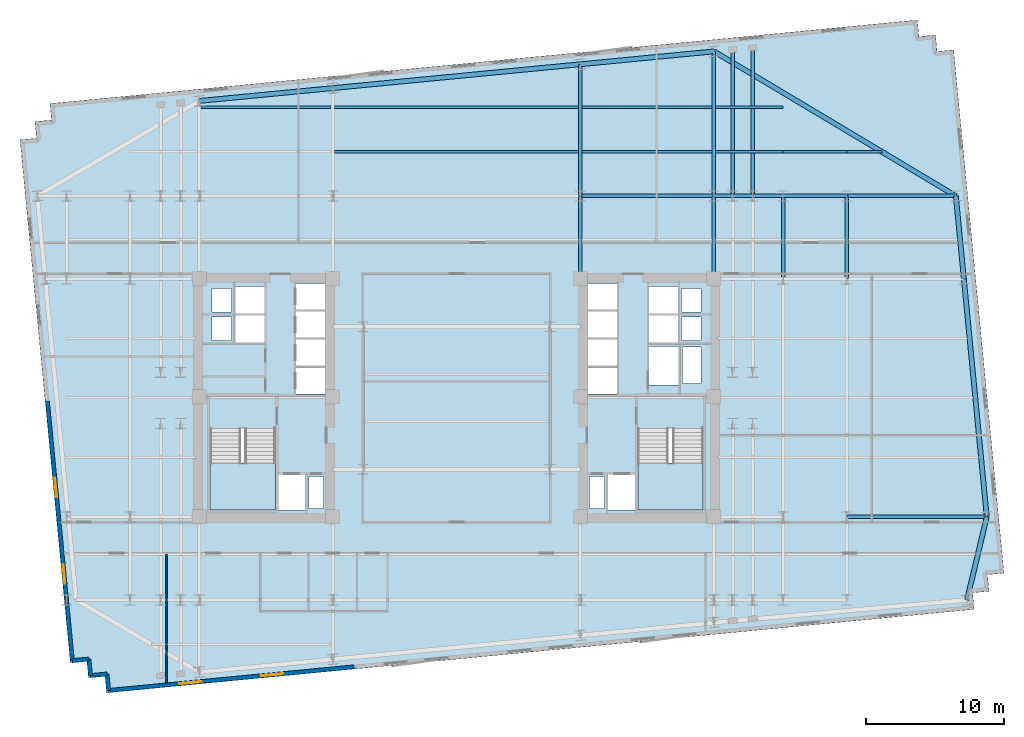
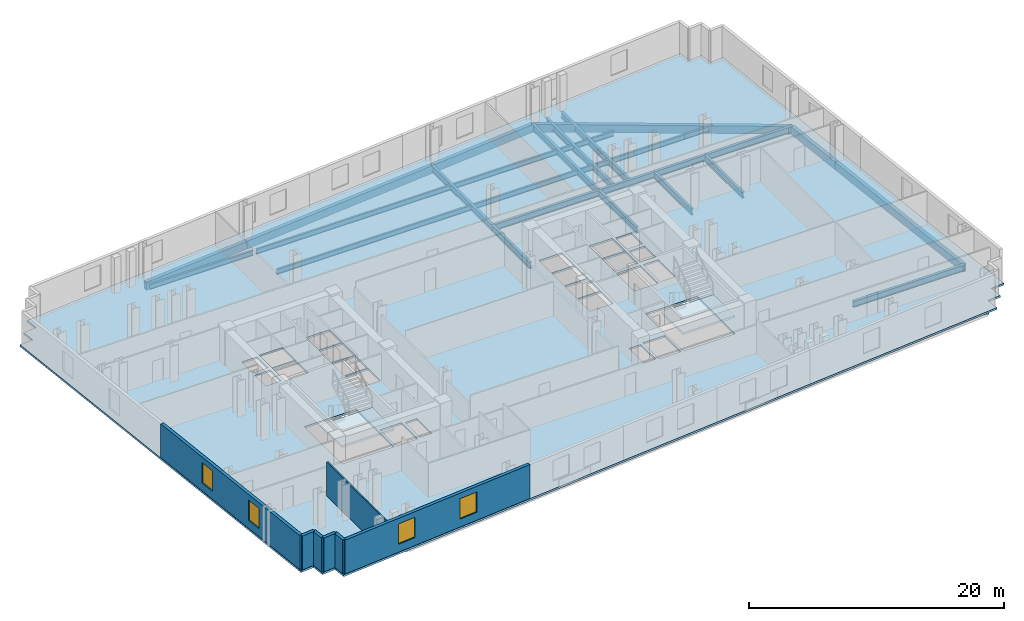
# One storey, part 3 of 10: 29 beams, 7 walls, 4 windows, 3 slabs, 4 openings, 2 elements without a shape of their own.
"""IFC4 building model written with IfcOpenShell, lengths in metres."""

from ifc_helpers import new_model, si_unit, direction, frame, frame_2d, origin, origin_2d, place, context, subcontext, project, spatial, polyline, rectangle, i_section, outline, extrude, material, layer, layer_set, material_profile, profile_set, type_object, element, fill, aggregate, save


model = new_model("IFC4")

# Units and contexts
model_context = context("Model", 3, precision=1e-05, world=origin(), true_north=direction((0.0, 1.0)))
body_context = subcontext(model_context, "Body", "Model", "MODEL_VIEW")
ifc_project = project(units=[si_unit("LENGTHUNIT", "METRE"), si_unit("AREAUNIT", "SQUARE_METRE"), si_unit("VOLUMEUNIT", "CUBIC_METRE"), si_unit("PLANEANGLEUNIT", "RADIAN"), si_unit("MASSUNIT", "GRAM", prefix="KILO")], contexts=[model_context])

# Site, building, storey
site_placement = place(None, origin())
site = spatial("IfcSite", under=ifc_project, at=site_placement, CompositionType="ELEMENT")
building_placement = place(site_placement, origin())
building = spatial("IfcBuilding", under=site, at=building_placement, Name="Velakula Bourse", CompositionType="ELEMENT")
storey_placement = place(building_placement, frame((0.0, 0.0, 81.10009765625)))
storey = spatial("IfcBuildingStorey", under=building, at=storey_placement, Name="L21", CompositionType="ELEMENT", Elevation=81.10009765625)

# Beams
ifc_material_1 = material(Name="Steel IS 2062 Grade 350 (E350)", Category="steel")
ifc_material_profile_1 = material_profile(ifc_material_1, i_section(OverallWidth=0.25, OverallDepth=0.60009765625, WebThickness=0.01171875, FlangeThickness=0.023681640625, at=origin_2d()), Name="Steel IS 2062 Grade 350 (E350)")
ifc_profile_set_1 = profile_set([ifc_material_profile_1], Name="Steel IS 2062 Grade 350 (E350)")
beam_type_1 = type_object("IfcBeamType", Name="BM-GRD-600H", PredefinedType="BEAM", material=ifc_profile_set_1)
for number, where, z_axis, x_axis, name in (
    (1, (8.949951171875, 8.60009765625, -0.47998046875), (0.0, 1.0, 0.0), (-1.0, 0.0, 0.0), "L21 Fulcrum Grid Girder FLC-ECN"),
    (2, (18.60009765625, 8.60009765625, -0.47998046875), (0.0, 1.0, 0.0), (-1.0, 0.0, 0.0), "L21 Fulcrum Grid Girder FLC-EN"),
):
    element("IfcBeam", number, at=place(storey_placement, frame(where, z_axis=z_axis, x_axis=x_axis)), inside=storey, type_object=beam_type_1, Name=name, PredefinedType="BEAM", context=body_context, shape_type="SweptSolid", body=[
        extrude(i_section(OverallWidth=0.25, OverallDepth=0.60009765625, WebThickness=0.01171875, FlangeThickness=0.023681640625, at=origin_2d()), origin(), (0.0, 0.0, 1.0), 6.0),
    ])
beam_1_placement = place(storey_placement, frame((8.949951171875, 14.60009765625, -0.47998046875), z_axis=(1.0, 0.0, 0.0), x_axis=(0.0, 1.0, 0.0)))
element("IfcBeam", 3, at=beam_1_placement, inside=storey, type_object=beam_type_1, Name="L21 Fulcrum Grid Girder FLC-N3", PredefinedType="BEAM", context=body_context, shape_type="SweptSolid", body=[
    extrude(i_section(OverallWidth=0.25, OverallDepth=0.60009765625, WebThickness=0.01171875, FlangeThickness=0.023681640625, at=origin_2d()), origin(), (0.0, 0.0, 1.0), 9.650146484375),
])
beam_2_placement = place(storey_placement, frame((18.60009765625, 14.60009765625, -0.47998046875), z_axis=(1.0, 0.0, 0.0), x_axis=(0.0, 1.0, 0.0)))
element("IfcBeam", 4, at=beam_2_placement, inside=storey, type_object=beam_type_1, Name="L21 Fulcrum Grid Girder MWG-EN2", PredefinedType="BEAM", context=body_context, shape_type="SweptSolid", body=[
    extrude(i_section(OverallWidth=0.25, OverallDepth=0.60009765625, WebThickness=0.01171875, FlangeThickness=0.023681640625, at=origin_2d()), origin(), (0.0, 0.0, 1.0), 5.0),
])
beam_3_placement = place(storey_placement, frame((23.60009765625, 8.60009765625, -0.47998046875), z_axis=(0.0, 1.0, 0.0), x_axis=(-1.0, 0.0, 0.0)))
element("IfcBeam", 5, at=beam_3_placement, inside=storey, type_object=beam_type_1, Name="L21 Fulcrum Grid Girder MWG-ENS3", PredefinedType="BEAM", context=body_context, shape_type="SweptSolid", body=[
    extrude(i_section(OverallWidth=0.25, OverallDepth=0.60009765625, WebThickness=0.01171875, FlangeThickness=0.023681640625, at=origin_2d()), origin(), (0.0, 0.0, 1.0), 6.0),
])
beam_4_placement = place(storey_placement, frame((23.60009765625, 14.60009765625, -0.47998046875), z_axis=(1.0, 0.0, 0.0), x_axis=(0.0, 1.0, 0.0)))
element("IfcBeam", 6, at=beam_4_placement, inside=storey, type_object=beam_type_1, Name="L21 Fulcrum Grid Girder WNG-EN2", PredefinedType="BEAM", context=body_context, shape_type="SweptSolid", body=[
    extrude(i_section(OverallWidth=0.25, OverallDepth=0.60009765625, WebThickness=0.01171875, FlangeThickness=0.023681640625, at=origin_2d()), origin(), (0.0, 0.0, 1.0), 4.599853515625),
])
beam_5_placement = place(storey_placement, frame((28.199951171875, 8.60009765625, -0.47998046875), z_axis=(0.0, 1.0, 0.0), x_axis=(-1.0, 0.0, 0.0)))
element("IfcBeam", 7, at=beam_5_placement, inside=storey, type_object=beam_type_1, Name="L21 Fulcrum Grid Girder WNG-ENS3", PredefinedType="BEAM", context=body_context, shape_type="SweptSolid", body=[
    extrude(i_section(OverallWidth=0.25, OverallDepth=0.60009765625, WebThickness=0.01171875, FlangeThickness=0.023681640625, at=origin_2d()), origin(), (0.0, 0.0, 1.0), 6.0),
])
beam_6_placement = place(storey_placement, frame((8.949951171875, 14.60009765625, -0.47998046875), z_axis=(0.0, 1.0, 0.0), x_axis=(-1.0, 0.0, 0.0)))
element("IfcBeam", 8, at=beam_6_placement, inside=storey, type_object=beam_type_1, Name="L21 Perimeter Tie Girder N3", PredefinedType="BEAM", context=body_context, shape_type="SweptSolid", body=[
    extrude(i_section(OverallWidth=0.25, OverallDepth=0.60009765625, WebThickness=0.01171875, FlangeThickness=0.023681640625, at=origin_2d()), origin(), (0.0, 0.0, 1.0), 9.521484375),
])
beam_7_placement = place(storey_placement, frame((18.60009765625, 14.60009765625, -0.47998046875), z_axis=(0.0, 1.0, 0.0), x_axis=(-1.0, 0.0, 0.0)))
element("IfcBeam", 9, at=beam_7_placement, inside=storey, type_object=beam_type_1, Name="L21 Perimeter Tie Girder N4", PredefinedType="BEAM", context=body_context, shape_type="SweptSolid", body=[
    extrude(i_section(OverallWidth=0.25, OverallDepth=0.60009765625, WebThickness=0.01171875, FlangeThickness=0.023681640625, at=origin_2d()), origin(), (0.0, 0.0, 1.0), 10.45068359375),
])
beam_8_placement = place(storey_placement, frame((28.199951171875, -8.60009765625, -0.47998046875), z_axis=(1.0, 0.0, 0.0), x_axis=(0.0, 1.0, 0.0)))
element("IfcBeam", 10, at=beam_8_placement, inside=storey, type_object=beam_type_1, Name="L21 Perimeter Tie Girder E2", PredefinedType="BEAM", context=body_context, shape_type="SweptSolid", body=[
    extrude(i_section(OverallWidth=0.25, OverallDepth=0.60009765625, WebThickness=0.01171875, FlangeThickness=0.023681640625, at=origin_2d()), origin(), (0.0, 0.0, 1.0), 10.119873046875),
])
beam_9_placement = place(storey_placement, frame((28.199951171875, 14.60009765625, -0.47998046875), z_axis=(1.0, 0.0, 0.0), x_axis=(0.0, 1.0, 0.0)))
element("IfcBeam", 11, at=beam_9_placement, inside=storey, type_object=beam_type_1, Name="L21 Perimeter Tie Girder E4", PredefinedType="BEAM", context=body_context, shape_type="SweptSolid", body=[
    extrude(i_section(OverallWidth=0.25, OverallDepth=0.60009765625, WebThickness=0.01171875, FlangeThickness=0.023681640625, at=origin_2d()), origin(), (0.0, 0.0, 1.0), 7.885986328125),
])
beam_10_placement = place(storey_placement, frame((19.949951171875, 14.60009765625, -0.47998046875), z_axis=(0.0, 1.0, 0.0), x_axis=(-1.0, 0.0, 0.0)))
element("IfcBeam", 12, at=beam_10_placement, inside=storey, type_object=beam_type_1, Name="L21 Perimeter Tie Girder P07", PredefinedType="BEAM", context=body_context, shape_type="SweptSolid", body=[
    extrude(i_section(OverallWidth=0.25, OverallDepth=0.60009765625, WebThickness=0.01171875, FlangeThickness=0.023681640625, at=origin_2d()), origin(), (0.0, 0.0, 1.0), 10.580810546875),
])
beam_11_placement = place(storey_placement, frame((21.39990234375, 14.60009765625, -0.47998046875), z_axis=(0.0, 1.0, 0.0), x_axis=(-1.0, 0.0, 0.0)))
element("IfcBeam", 13, at=beam_11_placement, inside=storey, type_object=beam_type_1, Name="L21 Perimeter Tie Girder P08", PredefinedType="BEAM", context=body_context, shape_type="SweptSolid", body=[
    extrude(i_section(OverallWidth=0.25, OverallDepth=0.60009765625, WebThickness=0.01171875, FlangeThickness=0.023681640625, at=origin_2d()), origin(), (0.0, 0.0, 1.0), 10.720458984375),
])
ifc_material_profile_2 = material_profile(ifc_material_1, i_section(OverallWidth=0.179931640625, OverallDepth=0.5, WebThickness=0.01025390625, FlangeThickness=0.01708984375, at=origin_2d()), Name="Steel IS 2062 Grade 350 (E350)")
ifc_profile_set_2 = profile_set([ifc_material_profile_2], Name="Steel IS 2062 Grade 350 (E350)")
beam_type_2 = type_object("IfcBeamType", Name="JST-TWR-500", PredefinedType="JOIST", material=ifc_profile_set_2)
beam_12_placement = place(storey_placement, frame((-8.824951171875, 17.800048828125, -0.43017578125), z_axis=(1.0, 0.0, 0.0), x_axis=(0.0, 1.0, 0.0)))
element("IfcBeam", 14, at=beam_12_placement, inside=storey, type_object=beam_type_2, Name="L21 Trading Floor Composite Joist 22", PredefinedType="JOIST", context=body_context, shape_type="SweptSolid", body=[
    extrude(i_section(OverallWidth=0.179931640625, OverallDepth=0.5, WebThickness=0.01025390625, FlangeThickness=0.01708984375, at=origin_2d()), origin(), (0.0, 0.0, 1.0), 17.64990234375),
])
beam_13_placement = place(storey_placement, frame((9.074951171875, 17.800048828125, -0.43017578125), z_axis=(1.0, 0.0, 0.0), x_axis=(0.0, 1.0, 0.0)))
element("IfcBeam", 15, at=beam_13_placement, inside=storey, type_object=beam_type_2, Name="L21 Trading Floor Composite Joist 23", PredefinedType="JOIST", context=body_context, shape_type="SweptSolid", body=[
    extrude(i_section(OverallWidth=0.179931640625, OverallDepth=0.5, WebThickness=0.01025390625, FlangeThickness=0.01708984375, at=origin_2d()), origin(), (0.0, 0.0, 1.0), 9.400146484375),
])
beam_14_placement = place(storey_placement, frame((18.72509765625, 17.800048828125, -0.43017578125), z_axis=(1.0, 0.0, 0.0), x_axis=(0.0, 1.0, 0.0)))
element("IfcBeam", 16, at=beam_14_placement, inside=storey, type_object=beam_type_2, Name="L21 Trading Floor Composite Joist 24", PredefinedType="JOIST", context=body_context, shape_type="SweptSolid", body=[
    extrude(i_section(OverallWidth=0.179931640625, OverallDepth=0.5, WebThickness=0.01025390625, FlangeThickness=0.01708984375, at=origin_2d()), origin(), (0.0, 0.0, 1.0), 4.875),
])
beam_15_placement = place(storey_placement, frame((23.60009765625, 17.800048828125, -0.43017578125), z_axis=(1.0, 0.0, 0.0), x_axis=(0.0, 1.0, 0.0)))
element("IfcBeam", 17, at=beam_15_placement, inside=storey, type_object=beam_type_2, Name="L21 Trading Floor Composite Joist 25", PredefinedType="JOIST", context=body_context, shape_type="SweptSolid", body=[
    extrude(i_section(OverallWidth=0.179931640625, OverallDepth=0.5, WebThickness=0.01025390625, FlangeThickness=0.01708984375, at=origin_2d()), origin(), (0.0, 0.0, 1.0), 4.599853515625),
])
beam_16_placement = place(storey_placement, frame((28.199951171875, 17.800048828125, -0.43017578125), z_axis=(1.0, 0.0, 0.0), x_axis=(0.0, 1.0, 0.0)))
element("IfcBeam", 18, at=beam_16_placement, inside=storey, type_object=beam_type_2, Name="L21 Trading Floor Composite Joist 26", PredefinedType="JOIST", context=body_context, shape_type="SweptSolid", body=[
    extrude(i_section(OverallWidth=0.179931640625, OverallDepth=0.5, WebThickness=0.01025390625, FlangeThickness=0.01708984375, at=origin_2d()), origin(), (0.0, 0.0, 1.0), 2.53173828125),
])
beam_17_placement = place(storey_placement, frame((-18.47509765625, 21.0, -0.43017578125), z_axis=(1.0, 0.0, 0.0), x_axis=(0.0, 1.0, 0.0)))
element("IfcBeam", 19, at=beam_17_placement, inside=storey, type_object=beam_type_2, Name="L21 Trading Floor Composite Joist 27", PredefinedType="JOIST", context=body_context, shape_type="SweptSolid", body=[
    extrude(i_section(OverallWidth=0.179931640625, OverallDepth=0.5, WebThickness=0.01025390625, FlangeThickness=0.01708984375, at=origin_2d()), origin(), (0.0, 0.0, 1.0), 9.400146484375),
])
beam_18_placement = place(storey_placement, frame((-8.824951171875, 21.0, -0.43017578125), z_axis=(1.0, 0.0, 0.0), x_axis=(0.0, 1.0, 0.0)))
element("IfcBeam", 20, at=beam_18_placement, inside=storey, type_object=beam_type_2, Name="L21 Trading Floor Composite Joist 28", PredefinedType="JOIST", context=body_context, shape_type="SweptSolid", body=[
    extrude(i_section(OverallWidth=0.179931640625, OverallDepth=0.5, WebThickness=0.01025390625, FlangeThickness=0.01708984375, at=origin_2d()), origin(), (0.0, 0.0, 1.0), 17.64990234375),
])
beam_19_placement = place(storey_placement, frame((9.074951171875, 21.0, -0.43017578125), z_axis=(1.0, 0.0, 0.0), x_axis=(0.0, 1.0, 0.0)))
element("IfcBeam", 21, at=beam_19_placement, inside=storey, type_object=beam_type_2, Name="L21 Trading Floor Composite Joist 29", PredefinedType="JOIST", context=body_context, shape_type="SweptSolid", body=[
    extrude(i_section(OverallWidth=0.179931640625, OverallDepth=0.5, WebThickness=0.01025390625, FlangeThickness=0.01708984375, at=origin_2d()), origin(), (0.0, 0.0, 1.0), 9.400146484375),
])
beam_20_placement = place(storey_placement, frame((18.72509765625, 21.0, -0.43017578125), z_axis=(1.0, 0.0, 0.0), x_axis=(0.0, 1.0, 0.0)))
element("IfcBeam", 22, at=beam_20_placement, inside=storey, type_object=beam_type_2, Name="L21 Trading Floor Composite Joist 30", PredefinedType="JOIST", context=body_context, shape_type="SweptSolid", body=[
    extrude(i_section(OverallWidth=0.179931640625, OverallDepth=0.5, WebThickness=0.01025390625, FlangeThickness=0.01708984375, at=origin_2d()), origin(), (0.0, 0.0, 1.0), 4.875),
])
ifc_material_2 = material(Name="Precast concrete M45 (fck 45 MPa)", Category="concrete")
ifc_material_profile_3 = material_profile(ifc_material_2, rectangle(XDim=0.35009765625, YDim=0.75, at=origin_2d()), Name="Precast concrete M45 (fck 45 MPa)")
ifc_profile_set_3 = profile_set([ifc_material_profile_3], Name="Precast concrete M45 (fck 45 MPa)")
beam_type_3 = type_object("IfcBeamType", Name="SPN-BRICK-750", PredefinedType="SPANDREL", material=ifc_profile_set_3)
beam_21_placement = place(storey_placement, frame((-18.60009765625, 21.468994140625, -0.55517578125), z_axis=(0.99539623971, 0.095845323155, 0.0), x_axis=(-0.095845323155, 0.99539623971, 0.0)))
element("IfcBeam", 23, at=beam_21_placement, inside=storey, type_object=beam_type_3, Name="L21 Brick-Faced Precast Spandrel N1-N2", PredefinedType="SPANDREL", context=body_context, shape_type="SweptSolid", body=[
    extrude(rectangle(XDim=0.35009765625, YDim=0.75, at=origin_2d()), origin(), (0.0, 0.0, 1.0), 9.69482421875),
])
beam_22_placement = place(storey_placement, frame((-8.949951171875, 22.398193359375, -0.55517578125), z_axis=(0.995397131467, 0.095836061418, 0.0), x_axis=(-0.095836061418, 0.995397131467, 0.0)))
element("IfcBeam", 24, at=beam_22_placement, inside=storey, type_object=beam_type_3, Name="L21 Brick-Faced Precast Spandrel N2-N3", PredefinedType="SPANDREL", context=body_context, shape_type="SweptSolid", body=[
    extrude(rectangle(XDim=0.35009765625, YDim=0.75, at=origin_2d()), origin(), (0.0, 0.0, 1.0), 17.982666015625),
])
beam_23_placement = place(storey_placement, frame((8.949951171875, 24.12158203125, -0.55517578125), z_axis=(0.99539623971, 0.095845323155, 0.0), x_axis=(-0.095845323155, 0.99539623971, 0.0)))
element("IfcBeam", 25, at=beam_23_placement, inside=storey, type_object=beam_type_3, Name="L21 Brick-Faced Precast Spandrel N3-N4", PredefinedType="SPANDREL", context=body_context, shape_type="SweptSolid", body=[
    extrude(rectangle(XDim=0.35009765625, YDim=0.75, at=origin_2d()), origin(), (0.0, 0.0, 1.0), 9.69482421875),
])
beam_24_placement = place(storey_placement, frame((36.88818359375, -14.60009765625, -0.55517578125), z_axis=(0.232091371601, 0.972693988482, 0.0), x_axis=(-0.972693988482, 0.232091371601, 0.0)))
element("IfcBeam", 26, at=beam_24_placement, inside=storey, type_object=beam_type_3, Name="L21 Brick-Faced Precast Spandrel E1-E2", PredefinedType="SPANDREL", context=body_context, shape_type="SweptSolid", body=[
    extrude(rectangle(XDim=0.35009765625, YDim=0.75, at=origin_2d()), origin(), (0.0, 0.0, 1.0), 6.16845703125),
])
beam_25_placement = place(storey_placement, frame((38.31982421875, -8.60009765625, -0.55517578125), z_axis=(-0.095849167925, 0.995395869495, 0.0), x_axis=(-0.995395869495, -0.095849167925, 0.0)))
element("IfcBeam", 27, at=beam_25_placement, inside=storey, type_object=beam_type_3, Name="L21 Brick-Faced Precast Spandrel E2-E3", PredefinedType="SPANDREL", context=body_context, shape_type="SweptSolid", body=[
    extrude(rectangle(XDim=0.35009765625, YDim=0.75, at=origin_2d()), origin(), (0.0, 0.0, 1.0), 17.27978515625),
])
beam_26_placement = place(storey_placement, frame((36.66357421875, 8.60009765625, -0.55517578125), z_axis=(-0.095829714309, 0.995397742541, 0.0), x_axis=(-0.995397742541, -0.095829714309, 0.0)))
element("IfcBeam", 28, at=beam_26_placement, inside=storey, type_object=beam_type_3, Name="L21 Brick-Faced Precast Spandrel E3-E4", PredefinedType="SPANDREL", context=body_context, shape_type="SweptSolid", body=[
    extrude(rectangle(XDim=0.35009765625, YDim=0.75, at=origin_2d()), origin(), (0.0, 0.0, 1.0), 6.02783203125),
])
beam_27_placement = place(storey_placement, frame((36.0859375, 14.60009765625, -0.55517578125), z_axis=(-0.858375715449, 0.513021569846, 0.0), x_axis=(-0.513021569846, -0.858375715449, 0.0)))
element("IfcBeam", 29, at=beam_27_placement, inside=storey, type_object=beam_type_3, Name="L21 Brick-Faced Precast Spandrel E4-N4", PredefinedType="SPANDREL", context=body_context, shape_type="SweptSolid", body=[
    extrude(rectangle(XDim=0.35009765625, YDim=0.75, at=origin_2d()), origin(), (0.0, 0.0, 1.0), 20.370849609375),
])

# Stair, slab
ifc_material_3 = material(Name="Concrete M45 (fck 45 MPa)", Category="concrete")
stair_type = type_object("IfcStairType", Name="STR-DOG-390", PredefinedType="HALF_TURN_STAIR", material=ifc_material_3)
stair_1_placement = place(storey_placement, origin())
stair_1 = element("IfcStair", 30, at=stair_1_placement, inside=storey, type_object=stair_type, Name="L21 West Core Exit Stair ST-W1", PredefinedType="HALF_TURN_STAIR")
ifc_layer_1 = layer(ifc_material_3, 0.199951171875, Name="Concrete M45 (fck 45 MPa)", Category="concrete")
ifc_layer_set_1 = layer_set([ifc_layer_1], Name="Concrete M45 (fck 45 MPa)")
slab_type_1 = type_object("IfcSlabType", Name="SLB-STAIR-LND-200", PredefinedType="LANDING", material=ifc_layer_set_1)
slab_1_placement = place(storey_placement, frame((0.0, 0.0, 1.52490234375)))
slab_1 = element("IfcSlab", 31, at=slab_1_placement, type_object=slab_type_1, Name="ST-W1 landing 1", PredefinedType="LANDING", context=body_context, shape_type="SweptSolid", body=[
    extrude(outline(polyline([(-17.820068359375, -4.719970703125), (-17.820068359375, -8.10009765625), (-13.10009765625, -8.10009765625), (-13.10009765625, -4.719970703125), (-17.820068359375, -4.719970703125)])), origin(), (0.0, 0.0, 1.0), 0.199951171875),
])
aggregate(stair_1, [slab_1])

stair_2_placement = place(storey_placement, origin())
stair_2 = element("IfcStair", 32, at=stair_2_placement, inside=storey, type_object=stair_type, Name="L21 East Core Exit Stair ST-E1", PredefinedType="HALF_TURN_STAIR")
slab_2_placement = place(storey_placement, frame((0.0, 0.0, 1.52490234375)))
slab_2 = element("IfcSlab", 33, at=slab_2_placement, type_object=slab_type_1, Name="ST-E1 landing 1", PredefinedType="LANDING", context=body_context, shape_type="SweptSolid", body=[
    extrude(outline(polyline([(13.10009765625, -4.719970703125), (13.10009765625, -8.10009765625), (17.820068359375, -8.10009765625), (17.820068359375, -4.719970703125), (13.10009765625, -4.719970703125)])), origin(), (0.0, 0.0, 1.0), 0.199951171875),
])
aggregate(stair_2, [slab_2])

# Slab
ifc_material_4 = material(Name="Concrete M50 (fck 50 MPa)", Category="concrete")
ifc_layer_2 = layer(ifc_material_4, 0.179931640625, Name="Concrete M50 (fck 50 MPa)", Category="concrete")
ifc_layer_set_2 = layer_set([ifc_layer_2], Name="Concrete M50 (fck 50 MPa)")
slab_type_2 = type_object("IfcSlabType", Name="SLB-TWR-180", PredefinedType="FLOOR", material=ifc_layer_set_2)
slab_3_placement = place(storey_placement, frame((0.0, 0.0, -0.18017578125)))
element("IfcSlab", 34, at=slab_3_placement, inside=storey, type_object=slab_type_2, Name="L21 Suspended Structural Floor Slab", PredefinedType="FLOOR", context=body_context, shape_type="SweptSolid", body=[
    extrude(outline(polyline([(-25.303955078125, -21.320556640625), (37.406005859375, -15.2822265625), (37.291015625, -14.087890625), (38.485595703125, -13.972900390625), (38.37060546875, -12.7783203125), (39.56494140625, -12.663330078125), (35.9228515625, 25.16162109375), (34.728271484375, 25.046630859375), (34.61328125, 26.2412109375), (33.4189453125, 26.126220703125), (33.303955078125, 27.320556640625), (-29.406005859375, 21.2822265625), (-29.291015625, 20.087890625), (-30.485595703125, 19.972900390625), (-30.37060546875, 18.7783203125), (-31.56494140625, 18.663330078125), (-27.9228515625, -19.16162109375), (-26.728271484375, -19.046630859375), (-26.61328125, -20.2412109375), (-25.4189453125, -20.126220703125), (-25.303955078125, -21.320556640625)]), holes=[polyline([(-17.820068359375, -8.10009765625), (-13.10009765625, -8.10009765625), (-13.10009765625, -2.199951171875), (-17.820068359375, -2.199951171875), (-17.820068359375, -8.10009765625)]), polyline([(13.10009765625, -8.10009765625), (17.820068359375, -8.10009765625), (17.820068359375, -2.199951171875), (13.10009765625, -2.199951171875), (13.10009765625, -8.10009765625)]), polyline([(-12.89990234375, -8.10009765625), (-10.949951171875, -8.10009765625), (-10.949951171875, -5.550048828125), (-12.89990234375, -5.550048828125), (-12.89990234375, -8.10009765625)]), polyline([(10.949951171875, -8.10009765625), (12.89990234375, -8.10009765625), (12.89990234375, -5.550048828125), (10.949951171875, -5.550048828125), (10.949951171875, -8.10009765625)]), polyline([(13.89990234375, 0.919921875), (16.050048828125, 0.919921875), (16.050048828125, 3.719970703125), (13.89990234375, 3.719970703125), (13.89990234375, 0.919921875)]), polyline([(-10.679931640625, -7.97998046875), (-9.6201171875, -7.97998046875), (-9.6201171875, -5.669921875), (-10.679931640625, -5.669921875), (-10.679931640625, -7.97998046875)]), polyline([(-17.679931640625, 4.139892578125), (-16.27001953125, 4.139892578125), (-16.27001953125, 5.85009765625), (-17.679931640625, 5.85009765625), (-17.679931640625, 4.139892578125)]), polyline([(-17.679931640625, 6.2099609375), (-16.27001953125, 6.2099609375), (-16.27001953125, 7.919921875), (-17.679931640625, 7.919921875), (-17.679931640625, 6.2099609375)]), polyline([(9.6201171875, -7.97998046875), (10.679931640625, -7.97998046875), (10.679931640625, -5.669921875), (9.6201171875, -5.669921875), (9.6201171875, -7.97998046875)]), polyline([(16.27001953125, 4.139892578125), (17.679931640625, 4.139892578125), (17.679931640625, 5.85009765625), (16.27001953125, 5.85009765625), (16.27001953125, 4.139892578125)]), polyline([(16.27001953125, 6.2099609375), (17.679931640625, 6.2099609375), (17.679931640625, 7.919921875), (16.27001953125, 7.919921875), (16.27001953125, 6.2099609375)]), polyline([(16.320068359375, 1.0400390625), (17.679931640625, 1.0400390625), (17.679931640625, 3.699951171875), (16.320068359375, 3.699951171875), (16.320068359375, 1.0400390625)]), polyline([(-11.60009765625, 0.280029296875), (-9.5, 0.280029296875), (-9.5, 2.199951171875), (-11.60009765625, 2.199951171875), (-11.60009765625, 0.280029296875)]), polyline([(-11.60009765625, 2.31005859375), (-9.5, 2.31005859375), (-9.5, 4.22998046875), (-11.60009765625, 4.22998046875), (-11.60009765625, 2.31005859375)]), polyline([(-11.60009765625, 4.340087890625), (-9.5, 4.340087890625), (-9.5, 6.260009765625), (-11.60009765625, 6.260009765625), (-11.60009765625, 4.340087890625)]), polyline([(-11.60009765625, 6.3701171875), (-9.5, 6.3701171875), (-9.5, 8.2900390625), (-11.60009765625, 8.2900390625), (-11.60009765625, 6.3701171875)]), polyline([(9.5, 0.280029296875), (11.60009765625, 0.280029296875), (11.60009765625, 2.199951171875), (9.5, 2.199951171875), (9.5, 0.280029296875)]), polyline([(9.5, 2.31005859375), (11.60009765625, 2.31005859375), (11.60009765625, 4.22998046875), (9.5, 4.22998046875), (9.5, 2.31005859375)]), polyline([(9.5, 4.340087890625), (11.60009765625, 4.340087890625), (11.60009765625, 6.260009765625), (9.5, 6.260009765625), (9.5, 4.340087890625)]), polyline([(9.5, 6.3701171875), (11.60009765625, 6.3701171875), (11.60009765625, 8.2900390625), (9.5, 8.2900390625), (9.5, 6.3701171875)]), polyline([(-16.0, 4.02001953125), (-13.89990234375, 4.02001953125), (-13.89990234375, 5.969970703125), (-16.0, 5.969970703125), (-16.0, 4.02001953125)]), polyline([(-16.0, 6.090087890625), (-13.89990234375, 6.090087890625), (-13.89990234375, 8.0400390625), (-16.0, 8.0400390625), (-16.0, 6.090087890625)]), polyline([(13.89990234375, 4.02001953125), (16.0, 4.02001953125), (16.0, 5.969970703125), (13.89990234375, 5.969970703125), (13.89990234375, 4.02001953125)]), polyline([(13.89990234375, 6.090087890625), (16.0, 6.090087890625), (16.0, 8.0400390625), (13.89990234375, 8.0400390625), (13.89990234375, 6.090087890625)])]), origin(), (0.0, 0.0, 1.0), 0.18017578125),
])

# Wall, openings, windows
ifc_material_5 = material(Name="Red kilned clay facing brick masonry", Category="masonry")
ifc_layer_3 = layer(ifc_material_5, 0.280029296875, Name="Red kilned clay facing brick masonry", Category="masonry")
ifc_layer_set_3 = layer_set([ifc_layer_3], Name="Red kilned clay facing brick masonry")
wall_type_1 = type_object("IfcWallType", Name="WL-EXT-BRK-280", PredefinedType="STANDARD", material=ifc_layer_set_3)
wall_1_placement = place(storey_placement, frame((-7.402099609375, -19.43603515625, 0.0), z_axis=(0.0, 0.0, 1.0), x_axis=(-0.995395780835, -0.095850088663, 0.0)))
wall_1 = element("IfcWall", 35, at=wall_1_placement, inside=storey, type_object=wall_type_1, Name="L21 S Brick Spandrel Wall B1", PredefinedType="STANDARD", context=body_context, shape_type="SweptSolid", body=[
    extrude(rectangle(XDim=17.83984375, YDim=0.280029296875, at=frame_2d((8.919921875, 0.0))), origin(), (0.0, 0.0, 1.0), 3.25),
])
opening_1_placement = place(wall_1_placement, frame((5.146728515625, 0.0, 0.760009765625)))
opening_1 = element("IfcOpeningElement", 36, at=opening_1_placement, cuts=wall_1, Name="Opening W-02", PredefinedType="OPENING", context=body_context, shape_type="SweptSolid", body=[
    extrude(rectangle(XDim=1.60009765625, YDim=1.949951171875, at=frame_2d((0.800048828125, 0.97509765625))), frame((0.0, 0.14990234375, 0.0), z_axis=(0.0, -1.0, 0.0), x_axis=(1.0, 0.0, 0.0)), (0.0, 0.0, 1.0), 0.300048828125),
])
opening_2_placement = place(wall_1_placement, frame((11.09326171875, 0.0, 0.760009765625)))
opening_2 = element("IfcOpeningElement", 37, at=opening_2_placement, cuts=wall_1, Name="Opening W-02", PredefinedType="OPENING", context=body_context, shape_type="SweptSolid", body=[
    extrude(rectangle(XDim=1.60009765625, YDim=1.949951171875, at=frame_2d((0.800048828125, 0.97509765625))), frame((0.0, 0.14990234375, 0.0), z_axis=(0.0, -1.0, 0.0), x_axis=(1.0, 0.0, 0.0)), (0.0, 0.0, 1.0), 0.300048828125),
])
ifc_material_6 = material(Name="Double-glazed solar-control Low-E glass", Category="glass")
window_type_1 = type_object("IfcWindowType", Name="WIN-TWR-1600x2100", PartitioningType="SINGLE_PANEL", PredefinedType="WINDOW", material=ifc_material_6)
window_1_placement = place(opening_1_placement, origin())
window_1 = element("IfcWindow", 38, at=window_1_placement, inside=storey, type_object=window_type_1, Name="L21 Deep-Set Recessed Window 1", OverallHeight=1.949951171875, OverallWidth=1.60009765625, PartitioningType="SINGLE_PANEL", PredefinedType="WINDOW", context=body_context, shape_type="SweptSolid", body=[
    extrude(rectangle(XDim=1.60009765625, YDim=1.949951171875, at=frame_2d((0.800048828125, 0.97509765625))), frame((0.0, 0.030029296875, 0.0), z_axis=(0.0, -1.0, 0.0), x_axis=(1.0, 0.0, 0.0)), (0.0, 0.0, 1.0), 0.06005859375),
])
fill(opening_1, window_1)
window_2_placement = place(opening_2_placement, origin())
window_2 = element("IfcWindow", 39, at=window_2_placement, inside=storey, type_object=window_type_1, Name="L21 Deep-Set Recessed Window 2", OverallHeight=1.949951171875, OverallWidth=1.60009765625, PartitioningType="SINGLE_PANEL", PredefinedType="WINDOW", context=body_context, shape_type="SweptSolid", body=[
    extrude(rectangle(XDim=1.60009765625, YDim=1.949951171875, at=frame_2d((0.800048828125, 0.97509765625))), frame((0.0, 0.030029296875, 0.0), z_axis=(0.0, -1.0, 0.0), x_axis=(1.0, 0.0, 0.0)), (0.0, 0.0, 1.0), 0.06005859375),
])
fill(opening_2, window_2)

wall_2_placement = place(storey_placement, frame((-27.779052734375, -18.987060546875, 0.0), z_axis=(0.0, 0.0, 1.0), x_axis=(-0.095842534142, 0.995396508256, 0.0)))
wall_2 = element("IfcWall", 40, at=wall_2_placement, inside=storey, type_object=wall_type_1, Name="L21 W Brick End Wall W1", PredefinedType="STANDARD", context=body_context, shape_type="SweptSolid", body=[
    extrude(rectangle(XDim=18.83984375, YDim=0.280029296875, at=frame_2d((9.419921875, 0.0))), origin(), (0.0, 0.0, 1.0), 3.25),
])
opening_3_placement = place(wall_2_placement, frame((5.580078125, 0.0, 0.760009765625)))
opening_3 = element("IfcOpeningElement", 41, at=opening_3_placement, cuts=wall_2, Name="Opening W-03", PredefinedType="OPENING", context=body_context, shape_type="SweptSolid", body=[
    extrude(rectangle(XDim=1.39990234375, YDim=1.949951171875, at=frame_2d((0.699951171875, 0.97509765625))), frame((0.0, 0.14990234375, 0.0), z_axis=(0.0, -1.0, 0.0), x_axis=(1.0, 0.0, 0.0)), (0.0, 0.0, 1.0), 0.300048828125),
])
opening_4_placement = place(wall_2_placement, frame((11.860107421875, 0.0, 0.760009765625)))
opening_4 = element("IfcOpeningElement", 42, at=opening_4_placement, cuts=wall_2, Name="Opening W-03", PredefinedType="OPENING", context=body_context, shape_type="SweptSolid", body=[
    extrude(rectangle(XDim=1.39990234375, YDim=1.949951171875, at=frame_2d((0.699951171875, 0.97509765625))), frame((0.0, 0.14990234375, 0.0), z_axis=(0.0, -1.0, 0.0), x_axis=(1.0, 0.0, 0.0)), (0.0, 0.0, 1.0), 0.300048828125),
])
window_type_2 = type_object("IfcWindowType", Name="WIN-TWR-1400x2100", PartitioningType="SINGLE_PANEL", PredefinedType="WINDOW", material=ifc_material_6)
window_3_placement = place(opening_3_placement, origin())
window_3 = element("IfcWindow", 43, at=window_3_placement, inside=storey, type_object=window_type_2, Name="L21 Deep-Set Recessed Window 1", OverallHeight=1.949951171875, OverallWidth=1.39990234375, PartitioningType="SINGLE_PANEL", PredefinedType="WINDOW", context=body_context, shape_type="SweptSolid", body=[
    extrude(rectangle(XDim=1.39990234375, YDim=1.949951171875, at=frame_2d((0.699951171875, 0.97509765625))), frame((0.0, 0.030029296875, 0.0), z_axis=(0.0, -1.0, 0.0), x_axis=(1.0, 0.0, 0.0)), (0.0, 0.0, 1.0), 0.06005859375),
])
fill(opening_3, window_3)
window_4_placement = place(opening_4_placement, origin())
window_4 = element("IfcWindow", 44, at=window_4_placement, inside=storey, type_object=window_type_2, Name="L21 Deep-Set Recessed Window 2", OverallHeight=1.949951171875, OverallWidth=1.39990234375, PartitioningType="SINGLE_PANEL", PredefinedType="WINDOW", context=body_context, shape_type="SweptSolid", body=[
    extrude(rectangle(XDim=1.39990234375, YDim=1.949951171875, at=frame_2d((0.699951171875, 0.97509765625))), frame((0.0, 0.030029296875, 0.0), z_axis=(0.0, -1.0, 0.0), x_axis=(1.0, 0.0, 0.0)), (0.0, 0.0, 1.0), 0.06005859375),
])
fill(opening_4, window_4)

# Walls
for number, where, z_axis, x_axis, name in (
    (45, (-27.779052734375, -18.987060546875, 0.0), (0.0, 0.0, 1.0), (0.995398960025, 0.095817067274, 0.0), "L21 Serrated Corner Brick Wall SW-1"),
    (46, (-26.58447265625, -18.8720703125, 0.0), (0.0, 0.0, 1.0), (0.095817067274, -0.995398960025, 0.0), "L21 Serrated Corner Brick Wall SW-2"),
    (47, (-26.469482421875, -20.066650390625, 0.0), (0.0, 0.0, 1.0), (0.995398960025, 0.095817067274, 0.0), "L21 Serrated Corner Brick Wall SW-3"),
):
    element("IfcWall", number, at=place(storey_placement, frame(where, z_axis=z_axis, x_axis=x_axis)), inside=storey, type_object=wall_type_1, Name=name, PredefinedType="STANDARD", context=body_context, shape_type="SweptSolid", body=[
        extrude(rectangle(XDim=1.2001953125, YDim=0.280029296875, at=frame_2d((0.60009765625, 0.0))), origin(), (0.0, 0.0, 1.0), 3.25),
    ])
wall_3_placement = place(storey_placement, frame((-25.27490234375, -19.95166015625, 0.0), z_axis=(0.0, 0.0, 1.0), x_axis=(0.095836473879, -0.995397091755, 0.0)))
element("IfcWall", 48, at=wall_3_placement, inside=storey, type_object=wall_type_1, Name="L21 Serrated Corner Brick Wall SW-4", PredefinedType="STANDARD", context=body_context, shape_type="SweptSolid", body=[
    extrude(rectangle(XDim=1.199951171875, YDim=0.280029296875, at=frame_2d((0.60009765625, 0.0))), origin(), (0.0, 0.0, 1.0), 3.25),
])
ifc_material_7 = material(Name="Fire-rated double-layer gypsum drywall partition", Category="gypsum")
ifc_layer_4 = layer(ifc_material_7, 0.1201171875, Name="Fire-rated double-layer gypsum drywall partition", Category="gypsum")
ifc_layer_set_4 = layer_set([ifc_layer_4], Name="Fire-rated double-layer gypsum drywall partition")
wall_type_2 = type_object("IfcWallType", Name="WL-PART-120", PredefinedType="STANDARD", material=ifc_layer_set_4)
wall_4_placement = place(storey_placement, frame((-20.987060546875, -20.623779296875, 0.0), z_axis=(0.0, 0.0, 1.0), x_axis=(0.0, 1.0, 0.0)))
element("IfcWall", 49, at=wall_4_placement, inside=storey, type_object=wall_type_2, Name="L21 Interior Partition WL-INT-L21-SL-D5", PredefinedType="STANDARD", context=body_context, shape_type="SweptSolid", body=[
    extrude(rectangle(XDim=9.333740234375, YDim=0.1201171875, at=frame_2d((4.6669921875, 0.0))), origin(), (0.0, 0.0, 1.0), 3.25),
])

save(model, "model.ifc")
